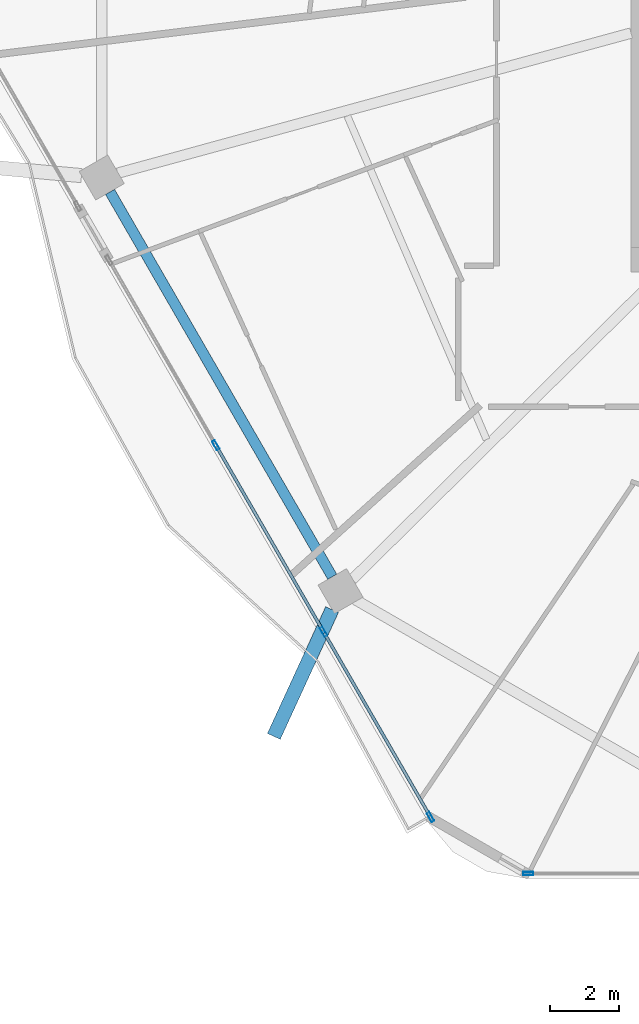
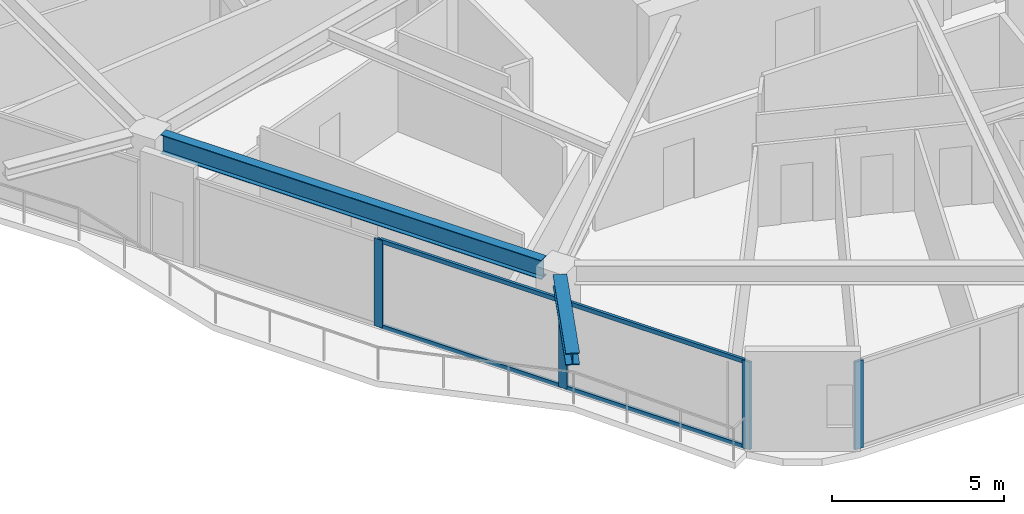
# One storey, part 2 of 26: 8 members, 2 beams, 2 elements without a shape of their own.
"""IFC4 building model written with IfcOpenShell, lengths in metres."""

from ifc_helpers import new_model, si_unit, direction, frame, origin, origin_2d, place, context, subcontext, project, spatial, hollow_rectangle, i_section, extrude, material, material_profile, profile_set, type_object, element, aggregate, save


model = new_model("IFC4")

# Units and contexts
model_context = context("Model", 3, precision=1e-05, world=origin(), true_north=direction((0.0, 1.0)))
body_context = subcontext(model_context, "Body", "Model", "MODEL_VIEW")
ifc_project = project(units=[si_unit("LENGTHUNIT", "METRE"), si_unit("AREAUNIT", "SQUARE_METRE"), si_unit("VOLUMEUNIT", "CUBIC_METRE"), si_unit("PLANEANGLEUNIT", "RADIAN"), si_unit("MASSUNIT", "GRAM", prefix="KILO")], contexts=[model_context])

# Site, building, storey
site_placement = place(None, origin())
site = spatial("IfcSite", under=ifc_project, at=site_placement, CompositionType="ELEMENT")
building_placement = place(site_placement, origin())
building = spatial("IfcBuilding", under=site, at=building_placement, Name="Zuhravey Tower", CompositionType="ELEMENT")
storey_placement = place(building_placement, frame((0.0, 0.0, 203.60009765625)))
storey = spatial("IfcBuildingStorey", under=building, at=storey_placement, Name="L51", CompositionType="ELEMENT", Elevation=203.60009765625)

# Curtain wall, member
ifc_material_1 = material(Name="Thermally broken anodised aluminium", Category="aluminium")
curtain_wall_type = type_object("IfcCurtainWallType", Name="Zone 1-2 Residential Curtain Wall CW3", PredefinedType="NOTDEFINED", material=ifc_material_1)
curtain_wall_1_placement = place(storey_placement, origin())
curtain_wall_1 = element("IfcCurtainWall", 1, at=curtain_wall_1_placement, inside=storey, type_object=curtain_wall_type, Name="L51 CW3 CW-L51-F5-1", PredefinedType="NOTDEFINED")
ifc_material_2 = material(Name="Anodised aluminium", Category="aluminium")
ifc_material_profile_1 = material_profile(ifc_material_2, hollow_rectangle(XDim=0.090087890625, YDim=0.284912109375, WallThickness=0.0048828125, at=origin_2d()), Name="ALU-RHS-90x285x5")
ifc_profile_set_1 = profile_set([ifc_material_profile_1], Name="Anodised aluminium")
member_type_1 = type_object("IfcMemberType", Name="Curtain-Wall Mullion 90x180", PredefinedType="MULLION", material=ifc_profile_set_1)
member_1_placement = place(storey_placement, frame((22.183837890625, 4.81689453125, 0.0), z_axis=(0.0, 0.0, 1.0), x_axis=(0.0, -1.0, 0.0)))
member_1 = element("IfcMember", 2, at=member_1_placement, type_object=member_type_1, Name="CW3 mullion 6", PredefinedType="MULLION", context=body_context, shape_type="SweptSolid", body=[
    extrude(hollow_rectangle(XDim=0.090087890625, YDim=0.284912109375, WallThickness=0.0048828125, at=origin_2d()), origin(), (0.0, 0.0, 1.0), 3.121826171875),
])
aggregate(curtain_wall_1, [member_1])

# Curtain wall, members
curtain_wall_2_placement = place(storey_placement, origin())
curtain_wall_2 = element("IfcCurtainWall", 3, at=curtain_wall_2_placement, inside=storey, type_object=curtain_wall_type, Name="L51 CW3 CW-L51-F4-1", PredefinedType="NOTDEFINED")
member_2_placement = place(storey_placement, frame((19.36669921875, 6.443359375, 0.0), z_axis=(0.0, 0.0, 1.0), x_axis=(-0.866025285861, -0.500000204249, 0.0)))
member_2 = element("IfcMember", 4, at=member_2_placement, type_object=member_type_1, Name="CW3 mullion 1", PredefinedType="MULLION", context=body_context, shape_type="SweptSolid", body=[
    extrude(hollow_rectangle(XDim=0.090087890625, YDim=0.284912109375, WallThickness=0.0048828125, at=origin_2d()), origin(), (0.0, 0.0, 1.0), 3.121826171875),
])
member_3_placement = place(storey_placement, frame((16.284912109375, 11.781494140625, 0.0), z_axis=(0.0, 0.0, 1.0), x_axis=(-0.866025285861, -0.500000204249, 0.0)))
member_3 = element("IfcMember", 5, at=member_3_placement, type_object=member_type_1, Name="CW3 mullion 2", PredefinedType="MULLION", context=body_context, shape_type="SweptSolid", body=[
    extrude(hollow_rectangle(XDim=0.090087890625, YDim=0.284912109375, WallThickness=0.0048828125, at=origin_2d()), origin(), (0.0, 0.0, 1.0), 3.121826171875),
])
member_4_placement = place(storey_placement, frame((13.180419921875, 17.158447265625, 0.0), z_axis=(0.0, 0.0, 1.0), x_axis=(-0.866025285861, -0.500000204249, 0.0)))
member_4 = element("IfcMember", 6, at=member_4_placement, type_object=member_type_1, Name="CW3 mullion 3", PredefinedType="MULLION", context=body_context, shape_type="SweptSolid", body=[
    extrude(hollow_rectangle(XDim=0.090087890625, YDim=0.284912109375, WallThickness=0.0048828125, at=origin_2d()), origin(), (0.0, 0.0, 1.0), 3.121826171875),
])
ifc_material_profile_2 = material_profile(ifc_material_2, hollow_rectangle(XDim=0.090087890625, YDim=0.14990234375, WallThickness=0.0048828125, at=origin_2d()), Name="ALU-RHS-90x150x5")
ifc_profile_set_2 = profile_set([ifc_material_profile_2], Name="Anodised aluminium")
member_type_2 = type_object("IfcMemberType", Name="Curtain-Wall Transom 90x150", PredefinedType="USERDEFINED", material=ifc_profile_set_2)
member_5_placement = place(storey_placement, frame((19.34423828125, 6.482421875, 0.044921875), z_axis=(-0.49999965181, 0.866025604812, 0.0), x_axis=(-0.866025604812, -0.49999965181, 0.0)))
member_5 = element("IfcMember", 7, at=member_5_placement, type_object=member_type_2, Name="CW3 transom 1.1", ObjectType="TRANSOM", PredefinedType="USERDEFINED", context=body_context, shape_type="SweptSolid", body=[
    extrude(hollow_rectangle(XDim=0.090087890625, YDim=0.14990234375, WallThickness=0.0048828125, at=origin_2d()), origin(), (0.0, 0.0, 1.0), 6.07373046875),
])
member_6_placement = place(storey_placement, frame((19.34423828125, 6.482421875, 3.076904296875), z_axis=(-0.49999965181, 0.866025604812, 0.0), x_axis=(-0.866025604812, -0.49999965181, 0.0)))
member_6 = element("IfcMember", 8, at=member_6_placement, type_object=member_type_2, Name="CW3 transom 1.2", ObjectType="TRANSOM", PredefinedType="USERDEFINED", context=body_context, shape_type="SweptSolid", body=[
    extrude(hollow_rectangle(XDim=0.090087890625, YDim=0.14990234375, WallThickness=0.0048828125, at=origin_2d()), origin(), (0.0, 0.0, 1.0), 6.07373046875),
])
member_7_placement = place(storey_placement, frame((16.262451171875, 11.8203125, 0.044921875), z_axis=(-0.500018325864, 0.866014823083, 0.0), x_axis=(-0.866014823083, -0.500018325864, 0.0)))
member_7 = element("IfcMember", 9, at=member_7_placement, type_object=member_type_2, Name="CW3 transom 2.1", ObjectType="TRANSOM", PredefinedType="USERDEFINED", context=body_context, shape_type="SweptSolid", body=[
    extrude(hollow_rectangle(XDim=0.090087890625, YDim=0.14990234375, WallThickness=0.0048828125, at=origin_2d()), origin(), (0.0, 0.0, 1.0), 6.118896484375),
])
member_8_placement = place(storey_placement, frame((16.262451171875, 11.8203125, 3.076904296875), z_axis=(-0.500018325864, 0.866014823083, 0.0), x_axis=(-0.866014823083, -0.500018325864, 0.0)))
member_8 = element("IfcMember", 10, at=member_8_placement, type_object=member_type_2, Name="CW3 transom 2.2", ObjectType="TRANSOM", PredefinedType="USERDEFINED", context=body_context, shape_type="SweptSolid", body=[
    extrude(hollow_rectangle(XDim=0.090087890625, YDim=0.14990234375, WallThickness=0.0048828125, at=origin_2d()), origin(), (0.0, 0.0, 1.0), 6.118896484375),
])
aggregate(curtain_wall_2, [member_2, member_3, member_4, member_5, member_6, member_7, member_8])

# Beams
ifc_material_3 = material(Name="Steel SM460", Category="steel")
ifc_material_profile_3 = material_profile(ifc_material_3, i_section(OverallWidth=0.406982421875, OverallDepth=0.427978515625, WebThickness=0.02001953125, FlangeThickness=0.034912109375, at=origin_2d()), Name="H-428x407x20x35")
ifc_profile_set_3 = profile_set([ifc_material_profile_3], Name="Steel SM460")
beam_type_1 = type_object("IfcBeamType", Name="Exoskeleton Node Tie Beam H428x407", PredefinedType="BEAM", material=ifc_profile_set_3)
beam_1_placement = place(storey_placement, frame((16.52978515625, 12.420654296875, 3.3359375), z_axis=(-0.417281960524, -0.908777071355, 0.0), x_axis=(0.908777071355, -0.417281960524, 0.0)))
element("IfcBeam", 11, at=beam_1_placement, inside=storey, type_object=beam_type_1, Name="L51 Exoskeleton Node Tie NT1-08", PredefinedType="BEAM", context=body_context, shape_type="SweptSolid", body=[
    extrude(i_section(OverallWidth=0.406982421875, OverallDepth=0.427978515625, WebThickness=0.02001953125, FlangeThickness=0.034912109375, at=origin_2d()), origin(), (0.0, 0.0, 1.0), 4.02001953125),
])
ifc_material_4 = material(Name="Steel SM355", Category="steel")
ifc_material_profile_4 = material_profile(ifc_material_4, i_section(OverallWidth=0.300048828125, OverallDepth=0.679931640625, WebThickness=0.012939453125, FlangeThickness=0.02197265625, at=origin_2d()), Name="H-680x300x13x22")
ifc_profile_set_4 = profile_set([ifc_material_profile_4], Name="Steel SM355")
beam_type_2 = type_object("IfcBeamType", Name="Perimeter Ring Beam H680x300", PredefinedType="BEAM", material=ifc_profile_set_4)
beam_2_placement = place(storey_placement, frame((10.13134765625, 24.45947265625, 3.2099609375), z_axis=(0.500003505699, -0.866023379758, 0.0), x_axis=(0.866023379758, 0.500003505699, 0.0)))
element("IfcBeam", 12, at=beam_2_placement, inside=storey, type_object=beam_type_2, Name="L51 PB2 BM-L51-PB-07", PredefinedType="BEAM", context=body_context, shape_type="SweptSolid", body=[
    extrude(i_section(OverallWidth=0.300048828125, OverallDepth=0.679931640625, WebThickness=0.012939453125, FlangeThickness=0.02197265625, at=origin_2d()), origin(), (0.0, 0.0, 1.0), 12.80810546875),
])

save(model, "model.ifc")
